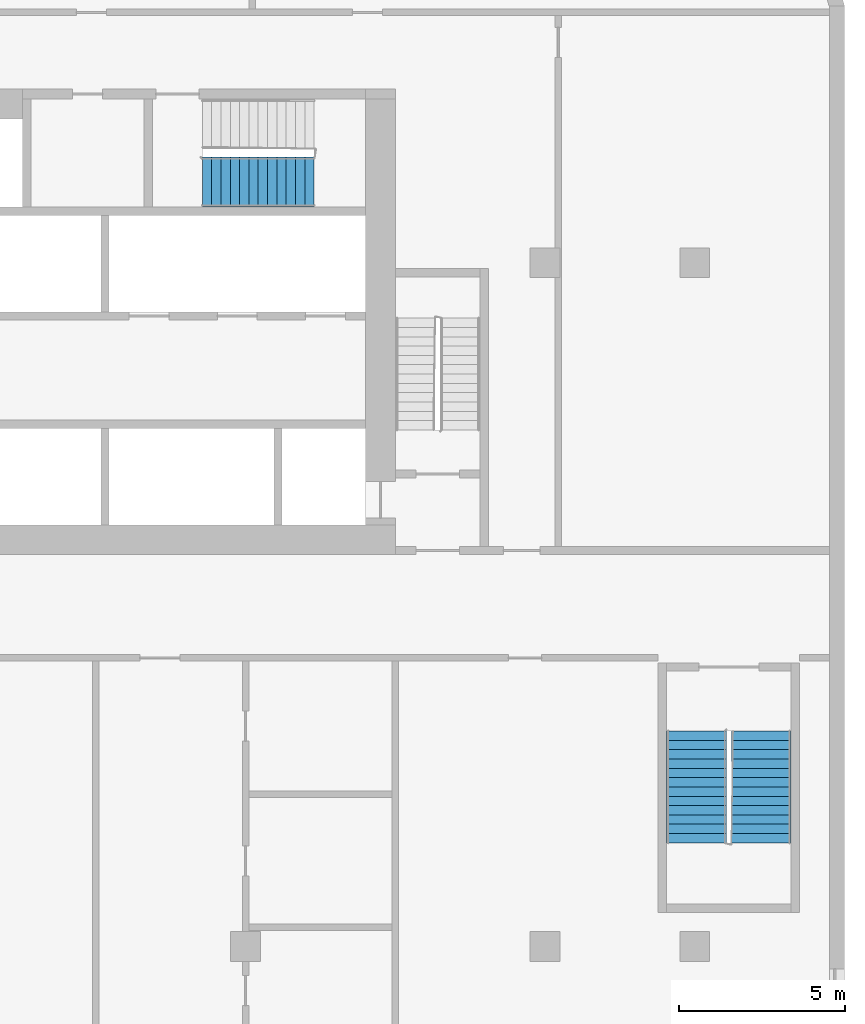
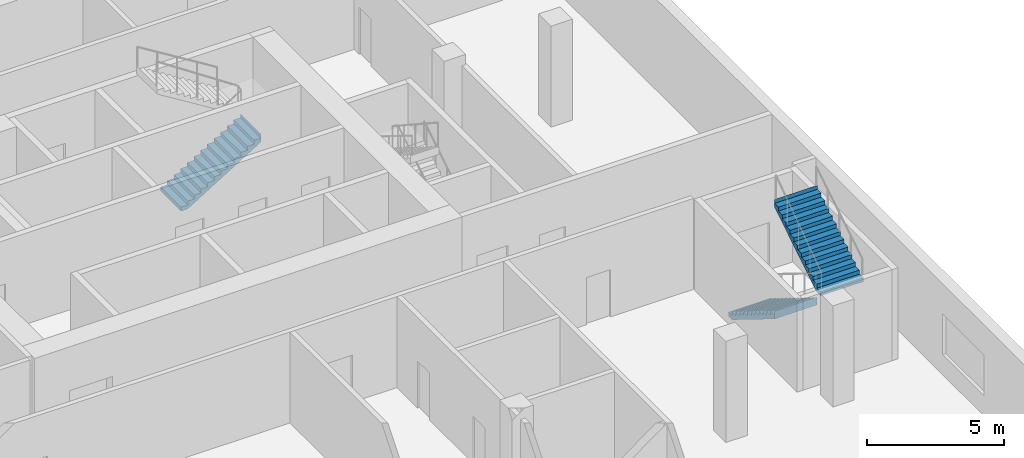
# One storey, part 12 of 15: 3 stair flights, 2 elements without a shape of their own.
"""IFC4 building model written with IfcOpenShell, lengths in metres."""

from ifc_helpers import new_model, si_unit, direction, frame, origin, place, context, subcontext, project, spatial, faceted_brep, material, type_object, element, aggregate, save


model = new_model("IFC4")

# Units and contexts
model_context = context("Model", 3, precision=1e-05, world=origin(), true_north=direction((0.0, 1.0)))
body_context = subcontext(model_context, "Body", "Model", "MODEL_VIEW")
ifc_project = project(units=[si_unit("LENGTHUNIT", "METRE"), si_unit("AREAUNIT", "SQUARE_METRE"), si_unit("VOLUMEUNIT", "CUBIC_METRE"), si_unit("PLANEANGLEUNIT", "RADIAN"), si_unit("MASSUNIT", "GRAM", prefix="KILO")], contexts=[model_context])

# Site, building, storey
site_placement = place(None, origin())
site = spatial("IfcSite", under=ifc_project, at=site_placement, CompositionType="ELEMENT")
building_placement = place(site_placement, origin())
building = spatial("IfcBuilding", under=site, at=building_placement, Name="Kajstack Hotel Tower", CompositionType="ELEMENT")
storey_placement = place(building_placement, frame((0.0, 0.0, 29.0)))
storey = spatial("IfcBuildingStorey", under=building, at=storey_placement, Name="L04", CompositionType="ELEMENT", Elevation=29.0)

# Stair, stair flights
ifc_material = material(Name="Concrete C40/50", Category="concrete")
stair_type_1 = type_object("IfcStairType", Name="Escape stair 1800", PredefinedType="HALF_TURN_STAIR", material=ifc_material)
stair_1_placement = place(storey_placement, origin())
stair_1 = element("IfcStair", 1, at=stair_1_placement, inside=storey, type_object=stair_type_1, Name="L04 stair P2", PredefinedType="HALF_TURN_STAIR")
stair_flight_type_1 = type_object("IfcStairFlightType", Name="Escape stair flight 1800", PredefinedType="STRAIGHT", material=ifc_material)
stair_flight_1_placement = place(storey_placement, frame((40.550048828125, -3.800048828125, 0.0), z_axis=(0.0, 0.0, 1.0), x_axis=(0.0, -1.0, 0.0)))
stair_flight_1 = element("IfcStairFlight", 2, at=stair_flight_1_placement, type_object=stair_flight_type_1, Name="P2 flight 1", NumberOfRisers=13, NumberOfTreads=12, PredefinedType="STRAIGHT", RiserHeight=0.173076923, TreadLength=0.28, context=body_context, shape_type="Brep", body=[
    faceted_brep([(0.28564453125, -0.89990234375, 0.0), (3.360595703125, -0.89990234375, 1.900634765625), (3.360595703125, -0.89990234375, 2.25), (3.360107421875, -0.89990234375, 2.25), (3.360107421875, -0.89990234375, 2.076904296875), (3.080078125, -0.89990234375, 2.076904296875), (3.080078125, -0.89990234375, 1.90380859375), (2.800048828125, -0.89990234375, 1.90380859375), (2.800048828125, -0.89990234375, 1.730712890625), (2.52001953125, -0.89990234375, 1.730712890625), (2.52001953125, -0.89990234375, 1.5576171875), (2.239990234375, -0.89990234375, 1.5576171875), (2.239990234375, -0.89990234375, 1.384521484375), (1.9599609375, -0.89990234375, 1.384521484375), (1.9599609375, -0.89990234375, 1.21142578125), (1.679931640625, -0.89990234375, 1.21142578125), (1.679931640625, -0.89990234375, 1.03857421875), (1.39990234375, -0.89990234375, 1.03857421875), (1.39990234375, -0.89990234375, 0.865478515625), (1.1201171875, -0.89990234375, 0.865478515625), (1.1201171875, -0.89990234375, 0.6923828125), (0.840087890625, -0.89990234375, 0.6923828125), (0.840087890625, -0.89990234375, 0.519287109375), (0.56005859375, -0.89990234375, 0.519287109375), (0.56005859375, -0.89990234375, 0.34619140625), (0.280029296875, -0.89990234375, 0.34619140625), (0.280029296875, -0.89990234375, 0.173095703125), (-0.00048828125, -0.89990234375, 0.173095703125), (-0.00048828125, -0.89990234375, 0.0), (-0.00048828125, 0.89990234375, 0.0), (-0.00048828125, 0.89990234375, 0.173095703125), (0.280029296875, 0.89990234375, 0.173095703125), (0.280029296875, 0.89990234375, 0.34619140625), (0.56005859375, 0.89990234375, 0.34619140625), (0.56005859375, 0.89990234375, 0.519287109375), (0.840087890625, 0.89990234375, 0.519287109375), (0.840087890625, 0.89990234375, 0.6923828125), (1.1201171875, 0.89990234375, 0.6923828125), (1.1201171875, 0.89990234375, 0.865478515625), (1.39990234375, 0.89990234375, 0.865478515625), (1.39990234375, 0.89990234375, 1.03857421875), (1.679931640625, 0.89990234375, 1.03857421875), (1.679931640625, 0.89990234375, 1.21142578125), (1.9599609375, 0.89990234375, 1.21142578125), (1.9599609375, 0.89990234375, 1.384521484375), (2.239990234375, 0.89990234375, 1.384521484375), (2.239990234375, 0.89990234375, 1.5576171875), (2.52001953125, 0.89990234375, 1.5576171875), (2.52001953125, 0.89990234375, 1.730712890625), (2.800048828125, 0.89990234375, 1.730712890625), (2.800048828125, 0.89990234375, 1.90380859375), (3.080078125, 0.89990234375, 1.90380859375), (3.080078125, 0.89990234375, 2.076904296875), (3.360107421875, 0.89990234375, 2.076904296875), (3.360107421875, 0.89990234375, 2.25), (3.360595703125, 0.89990234375, 2.25), (3.360595703125, 0.89990234375, 1.900634765625), (0.28564453125, 0.89990234375, 0.0), (-0.00048828125, -0.449951171875, 0.173095703125), (-0.00048828125, 0.0, 0.173095703125), (-0.00048828125, 0.449951171875, 0.173095703125), (-0.00048828125, 0.449951171875, 0.0), (-0.00048828125, 0.0, 0.0), (-0.00048828125, -0.449951171875, 0.0), (0.280029296875, -0.449951171875, 0.173095703125), (0.280029296875, 0.0, 0.173095703125), (0.280029296875, 0.449951171875, 0.173095703125), (0.280029296875, -0.449951171875, 0.34619140625), (0.280029296875, 0.0, 0.34619140625), (0.280029296875, 0.449951171875, 0.34619140625), (0.56005859375, -0.449951171875, 0.34619140625), (0.56005859375, 0.0, 0.34619140625), (0.56005859375, 0.449951171875, 0.34619140625), (0.56005859375, -0.449951171875, 0.519287109375), (0.56005859375, 0.0, 0.519287109375), (0.56005859375, 0.449951171875, 0.519287109375), (0.840087890625, -0.449951171875, 0.519287109375), (0.840087890625, 0.0, 0.519287109375), (0.840087890625, 0.449951171875, 0.519287109375), (0.840087890625, -0.449951171875, 0.6923828125), (0.840087890625, 0.0, 0.6923828125), (0.840087890625, 0.449951171875, 0.6923828125), (1.1201171875, -0.449951171875, 0.6923828125), (1.1201171875, 0.0, 0.6923828125), (1.1201171875, 0.449951171875, 0.6923828125), (1.1201171875, -0.449951171875, 0.865478515625), (1.1201171875, 0.0, 0.865478515625), (1.1201171875, 0.449951171875, 0.865478515625), (1.39990234375, -0.449951171875, 0.865478515625), (1.39990234375, 0.0, 0.865478515625), (1.39990234375, 0.449951171875, 0.865478515625), (1.39990234375, -0.449951171875, 1.03857421875), (1.39990234375, 0.0, 1.03857421875), (1.39990234375, 0.449951171875, 1.03857421875), (1.679931640625, -0.449951171875, 1.03857421875), (1.679931640625, 0.0, 1.03857421875), (1.679931640625, 0.449951171875, 1.03857421875), (1.679931640625, -0.449951171875, 1.21142578125), (1.679931640625, 0.0, 1.21142578125), (1.679931640625, 0.449951171875, 1.21142578125), (1.9599609375, -0.449951171875, 1.21142578125), (1.9599609375, 0.0, 1.21142578125), (1.9599609375, 0.449951171875, 1.21142578125), (1.9599609375, -0.449951171875, 1.384521484375), (1.9599609375, 0.0, 1.384521484375), (1.9599609375, 0.449951171875, 1.384521484375), (2.239990234375, -0.449951171875, 1.384521484375), (2.239990234375, 0.0, 1.384521484375), (2.239990234375, 0.449951171875, 1.384521484375), (2.239990234375, -0.449951171875, 1.5576171875), (2.239990234375, 0.0, 1.5576171875), (2.239990234375, 0.449951171875, 1.5576171875), (2.52001953125, -0.449951171875, 1.5576171875), (2.52001953125, 0.0, 1.5576171875), (2.52001953125, 0.449951171875, 1.5576171875), (2.52001953125, -0.449951171875, 1.730712890625), (2.52001953125, 0.0, 1.730712890625), (2.52001953125, 0.449951171875, 1.730712890625), (2.800048828125, -0.449951171875, 1.730712890625), (2.800048828125, 0.0, 1.730712890625), (2.800048828125, 0.449951171875, 1.730712890625), (2.800048828125, -0.449951171875, 1.90380859375), (2.800048828125, 0.0, 1.90380859375), (2.800048828125, 0.449951171875, 1.90380859375), (3.080078125, -0.449951171875, 1.90380859375), (3.080078125, 0.0, 1.90380859375), (3.080078125, 0.449951171875, 1.90380859375), (3.080078125, -0.449951171875, 2.076904296875), (3.080078125, 0.0, 2.076904296875), (3.080078125, 0.449951171875, 2.076904296875), (3.360107421875, -0.449951171875, 2.076904296875), (3.360107421875, 0.0, 2.076904296875), (3.360107421875, 0.449951171875, 2.076904296875), (3.360107421875, -0.449951171875, 2.25), (3.360107421875, 0.0, 2.25), (3.360107421875, 0.449951171875, 2.25), (3.360595703125, -0.449951171875, 2.25), (3.360595703125, 0.0, 2.25), (3.360595703125, 0.449951171875, 2.25), (3.360595703125, -0.449951171875, 1.900634765625), (3.360595703125, 0.0, 1.900634765625), (3.360595703125, 0.449951171875, 1.900634765625), (0.28564453125, -0.449951171875, 0.0), (0.28564453125, 0.0, 0.0), (0.28564453125, 0.449951171875, 0.0)], [[[0, 1, 2, 3, 4, 5, 6, 7, 8, 9, 10, 11, 12, 13, 14, 15, 16, 17, 18, 19, 20, 21, 22, 23, 24, 25, 26, 27, 28]], [[29, 30, 31, 32, 33, 34, 35, 36, 37, 38, 39, 40, 41, 42, 43, 44, 45, 46, 47, 48, 49, 50, 51, 52, 53, 54, 55, 56, 57]], [[27, 58, 59, 60, 30, 29, 61, 62, 63, 28]], [[26, 64, 65, 66, 31, 30, 60, 59, 58, 27]], [[25, 67, 68, 69, 32, 31, 66, 65, 64, 26]], [[24, 70, 71, 72, 33, 32, 69, 68, 67, 25]], [[23, 73, 74, 75, 34, 33, 72, 71, 70, 24]], [[22, 76, 77, 78, 35, 34, 75, 74, 73, 23]], [[21, 79, 80, 81, 36, 35, 78, 77, 76, 22]], [[20, 82, 83, 84, 37, 36, 81, 80, 79, 21]], [[19, 85, 86, 87, 38, 37, 84, 83, 82, 20]], [[18, 88, 89, 90, 39, 38, 87, 86, 85, 19]], [[17, 91, 92, 93, 40, 39, 90, 89, 88, 18]], [[16, 94, 95, 96, 41, 40, 93, 92, 91, 17]], [[15, 97, 98, 99, 42, 41, 96, 95, 94, 16]], [[14, 100, 101, 102, 43, 42, 99, 98, 97, 15]], [[13, 103, 104, 105, 44, 43, 102, 101, 100, 14]], [[12, 106, 107, 108, 45, 44, 105, 104, 103, 13]], [[11, 109, 110, 111, 46, 45, 108, 107, 106, 12]], [[10, 112, 113, 114, 47, 46, 111, 110, 109, 11]], [[9, 115, 116, 117, 48, 47, 114, 113, 112, 10]], [[8, 118, 119, 120, 49, 48, 117, 116, 115, 9]], [[7, 121, 122, 123, 50, 49, 120, 119, 118, 8]], [[6, 124, 125, 126, 51, 50, 123, 122, 121, 7]], [[5, 127, 128, 129, 52, 51, 126, 125, 124, 6]], [[4, 130, 131, 132, 53, 52, 129, 128, 127, 5]], [[3, 133, 134, 135, 54, 53, 132, 131, 130, 4]], [[2, 136, 137, 138, 55, 54, 135, 134, 133, 3]], [[1, 139, 140, 141, 56, 55, 138, 137, 136, 2]], [[0, 142, 143, 144, 57, 56, 141, 140, 139, 1]], [[28, 63, 62, 61, 29, 57, 144, 143, 142, 0]]]),
])
stair_flight_2_placement = place(storey_placement, frame((42.5, -7.159912109375, 2.25), z_axis=(0.0, 0.0, 1.0), x_axis=(0.0, 1.0, 0.0)))
stair_flight_2 = element("IfcStairFlight", 3, at=stair_flight_2_placement, type_object=stair_flight_type_1, Name="P2 flight 2", NumberOfRisers=13, NumberOfTreads=12, PredefinedType="STRAIGHT", RiserHeight=0.173076923, TreadLength=0.28, context=body_context, shape_type="Brep", body=[
    faceted_brep([(0.28564453125, -0.89990234375, 0.0), (3.360595703125, -0.89990234375, 1.900634765625), (3.360595703125, -0.89990234375, 2.25), (3.360107421875, -0.89990234375, 2.25), (3.360107421875, -0.89990234375, 2.076904296875), (3.080078125, -0.89990234375, 2.076904296875), (3.080078125, -0.89990234375, 1.90380859375), (2.800048828125, -0.89990234375, 1.90380859375), (2.800048828125, -0.89990234375, 1.730712890625), (2.52001953125, -0.89990234375, 1.730712890625), (2.52001953125, -0.89990234375, 1.5576171875), (2.239990234375, -0.89990234375, 1.5576171875), (2.239990234375, -0.89990234375, 1.384521484375), (1.9599609375, -0.89990234375, 1.384521484375), (1.9599609375, -0.89990234375, 1.21142578125), (1.679931640625, -0.89990234375, 1.21142578125), (1.679931640625, -0.89990234375, 1.03857421875), (1.39990234375, -0.89990234375, 1.03857421875), (1.39990234375, -0.89990234375, 0.865478515625), (1.1201171875, -0.89990234375, 0.865478515625), (1.1201171875, -0.89990234375, 0.6923828125), (0.840087890625, -0.89990234375, 0.6923828125), (0.840087890625, -0.89990234375, 0.519287109375), (0.56005859375, -0.89990234375, 0.519287109375), (0.56005859375, -0.89990234375, 0.34619140625), (0.280029296875, -0.89990234375, 0.34619140625), (0.280029296875, -0.89990234375, 0.173095703125), (-0.00048828125, -0.89990234375, 0.173095703125), (-0.00048828125, -0.89990234375, 0.0), (-0.00048828125, 0.89990234375, 0.0), (-0.00048828125, 0.89990234375, 0.173095703125), (0.280029296875, 0.89990234375, 0.173095703125), (0.280029296875, 0.89990234375, 0.34619140625), (0.56005859375, 0.89990234375, 0.34619140625), (0.56005859375, 0.89990234375, 0.519287109375), (0.840087890625, 0.89990234375, 0.519287109375), (0.840087890625, 0.89990234375, 0.6923828125), (1.1201171875, 0.89990234375, 0.6923828125), (1.1201171875, 0.89990234375, 0.865478515625), (1.39990234375, 0.89990234375, 0.865478515625), (1.39990234375, 0.89990234375, 1.03857421875), (1.679931640625, 0.89990234375, 1.03857421875), (1.679931640625, 0.89990234375, 1.21142578125), (1.9599609375, 0.89990234375, 1.21142578125), (1.9599609375, 0.89990234375, 1.384521484375), (2.239990234375, 0.89990234375, 1.384521484375), (2.239990234375, 0.89990234375, 1.5576171875), (2.52001953125, 0.89990234375, 1.5576171875), (2.52001953125, 0.89990234375, 1.730712890625), (2.800048828125, 0.89990234375, 1.730712890625), (2.800048828125, 0.89990234375, 1.90380859375), (3.080078125, 0.89990234375, 1.90380859375), (3.080078125, 0.89990234375, 2.076904296875), (3.360107421875, 0.89990234375, 2.076904296875), (3.360107421875, 0.89990234375, 2.25), (3.360595703125, 0.89990234375, 2.25), (3.360595703125, 0.89990234375, 1.900634765625), (0.28564453125, 0.89990234375, 0.0), (-0.00048828125, -0.449951171875, 0.173095703125), (-0.00048828125, 0.0, 0.173095703125), (-0.00048828125, 0.449951171875, 0.173095703125), (-0.00048828125, 0.449951171875, 0.0), (-0.00048828125, 0.0, 0.0), (-0.00048828125, -0.449951171875, 0.0), (0.280029296875, -0.449951171875, 0.173095703125), (0.280029296875, 0.0, 0.173095703125), (0.280029296875, 0.449951171875, 0.173095703125), (0.280029296875, -0.449951171875, 0.34619140625), (0.280029296875, 0.0, 0.34619140625), (0.280029296875, 0.449951171875, 0.34619140625), (0.56005859375, -0.449951171875, 0.34619140625), (0.56005859375, 0.0, 0.34619140625), (0.56005859375, 0.449951171875, 0.34619140625), (0.56005859375, -0.449951171875, 0.519287109375), (0.56005859375, 0.0, 0.519287109375), (0.56005859375, 0.449951171875, 0.519287109375), (0.840087890625, -0.449951171875, 0.519287109375), (0.840087890625, 0.0, 0.519287109375), (0.840087890625, 0.449951171875, 0.519287109375), (0.840087890625, -0.449951171875, 0.6923828125), (0.840087890625, 0.0, 0.6923828125), (0.840087890625, 0.449951171875, 0.6923828125), (1.1201171875, -0.449951171875, 0.6923828125), (1.1201171875, 0.0, 0.6923828125), (1.1201171875, 0.449951171875, 0.6923828125), (1.1201171875, -0.449951171875, 0.865478515625), (1.1201171875, 0.0, 0.865478515625), (1.1201171875, 0.449951171875, 0.865478515625), (1.39990234375, -0.449951171875, 0.865478515625), (1.39990234375, 0.0, 0.865478515625), (1.39990234375, 0.449951171875, 0.865478515625), (1.39990234375, -0.449951171875, 1.03857421875), (1.39990234375, 0.0, 1.03857421875), (1.39990234375, 0.449951171875, 1.03857421875), (1.679931640625, -0.449951171875, 1.03857421875), (1.679931640625, 0.0, 1.03857421875), (1.679931640625, 0.449951171875, 1.03857421875), (1.679931640625, -0.449951171875, 1.21142578125), (1.679931640625, 0.0, 1.21142578125), (1.679931640625, 0.449951171875, 1.21142578125), (1.9599609375, -0.449951171875, 1.21142578125), (1.9599609375, 0.0, 1.21142578125), (1.9599609375, 0.449951171875, 1.21142578125), (1.9599609375, -0.449951171875, 1.384521484375), (1.9599609375, 0.0, 1.384521484375), (1.9599609375, 0.449951171875, 1.384521484375), (2.239990234375, -0.449951171875, 1.384521484375), (2.239990234375, 0.0, 1.384521484375), (2.239990234375, 0.449951171875, 1.384521484375), (2.239990234375, -0.449951171875, 1.5576171875), (2.239990234375, 0.0, 1.5576171875), (2.239990234375, 0.449951171875, 1.5576171875), (2.52001953125, -0.449951171875, 1.5576171875), (2.52001953125, 0.0, 1.5576171875), (2.52001953125, 0.449951171875, 1.5576171875), (2.52001953125, -0.449951171875, 1.730712890625), (2.52001953125, 0.0, 1.730712890625), (2.52001953125, 0.449951171875, 1.730712890625), (2.800048828125, -0.449951171875, 1.730712890625), (2.800048828125, 0.0, 1.730712890625), (2.800048828125, 0.449951171875, 1.730712890625), (2.800048828125, -0.449951171875, 1.90380859375), (2.800048828125, 0.0, 1.90380859375), (2.800048828125, 0.449951171875, 1.90380859375), (3.080078125, -0.449951171875, 1.90380859375), (3.080078125, 0.0, 1.90380859375), (3.080078125, 0.449951171875, 1.90380859375), (3.080078125, -0.449951171875, 2.076904296875), (3.080078125, 0.0, 2.076904296875), (3.080078125, 0.449951171875, 2.076904296875), (3.360107421875, -0.449951171875, 2.076904296875), (3.360107421875, 0.0, 2.076904296875), (3.360107421875, 0.449951171875, 2.076904296875), (3.360107421875, -0.449951171875, 2.25), (3.360107421875, 0.0, 2.25), (3.360107421875, 0.449951171875, 2.25), (3.360595703125, -0.449951171875, 2.25), (3.360595703125, 0.0, 2.25), (3.360595703125, 0.449951171875, 2.25), (3.360595703125, -0.449951171875, 1.900634765625), (3.360595703125, 0.0, 1.900634765625), (3.360595703125, 0.449951171875, 1.900634765625), (0.28564453125, -0.449951171875, 0.0), (0.28564453125, 0.0, 0.0), (0.28564453125, 0.449951171875, 0.0)], [[[0, 1, 2, 3, 4, 5, 6, 7, 8, 9, 10, 11, 12, 13, 14, 15, 16, 17, 18, 19, 20, 21, 22, 23, 24, 25, 26, 27, 28]], [[29, 30, 31, 32, 33, 34, 35, 36, 37, 38, 39, 40, 41, 42, 43, 44, 45, 46, 47, 48, 49, 50, 51, 52, 53, 54, 55, 56, 57]], [[27, 58, 59, 60, 30, 29, 61, 62, 63, 28]], [[26, 64, 65, 66, 31, 30, 60, 59, 58, 27]], [[25, 67, 68, 69, 32, 31, 66, 65, 64, 26]], [[24, 70, 71, 72, 33, 32, 69, 68, 67, 25]], [[23, 73, 74, 75, 34, 33, 72, 71, 70, 24]], [[22, 76, 77, 78, 35, 34, 75, 74, 73, 23]], [[21, 79, 80, 81, 36, 35, 78, 77, 76, 22]], [[20, 82, 83, 84, 37, 36, 81, 80, 79, 21]], [[19, 85, 86, 87, 38, 37, 84, 83, 82, 20]], [[18, 88, 89, 90, 39, 38, 87, 86, 85, 19]], [[17, 91, 92, 93, 40, 39, 90, 89, 88, 18]], [[16, 94, 95, 96, 41, 40, 93, 92, 91, 17]], [[15, 97, 98, 99, 42, 41, 96, 95, 94, 16]], [[14, 100, 101, 102, 43, 42, 99, 98, 97, 15]], [[13, 103, 104, 105, 44, 43, 102, 101, 100, 14]], [[12, 106, 107, 108, 45, 44, 105, 104, 103, 13]], [[11, 109, 110, 111, 46, 45, 108, 107, 106, 12]], [[10, 112, 113, 114, 47, 46, 111, 110, 109, 11]], [[9, 115, 116, 117, 48, 47, 114, 113, 112, 10]], [[8, 118, 119, 120, 49, 48, 117, 116, 115, 9]], [[7, 121, 122, 123, 50, 49, 120, 119, 118, 8]], [[6, 124, 125, 126, 51, 50, 123, 122, 121, 7]], [[5, 127, 128, 129, 52, 51, 126, 125, 124, 6]], [[4, 130, 131, 132, 53, 52, 129, 128, 127, 5]], [[3, 133, 134, 135, 54, 53, 132, 131, 130, 4]], [[2, 136, 137, 138, 55, 54, 135, 134, 133, 3]], [[1, 139, 140, 141, 56, 55, 138, 137, 136, 2]], [[0, 142, 143, 144, 57, 56, 141, 140, 139, 1]], [[28, 63, 62, 61, 29, 57, 144, 143, 142, 0]]]),
])
aggregate(stair_1, [stair_flight_1, stair_flight_2])

# Stair, stair flight
stair_type_2 = type_object("IfcStairType", Name="Exit stair 1500", PredefinedType="HALF_TURN_STAIR", material=ifc_material)
stair_2_placement = place(storey_placement, origin())
stair_2 = element("IfcStair", 4, at=stair_2_placement, inside=storey, type_object=stair_type_2, Name="L04 stair E3", PredefinedType="HALF_TURN_STAIR")
stair_flight_type_2 = type_object("IfcStairFlightType", Name="Exit stair flight 1500", PredefinedType="STRAIGHT", material=ifc_material)
stair_flight_3_placement = place(storey_placement, frame((25.699951171875, 12.699951171875, 0.0), z_axis=(0.0, 0.0, 1.0), x_axis=(1.0, 0.0, 0.0)))
stair_flight_3 = element("IfcStairFlight", 5, at=stair_flight_3_placement, type_object=stair_flight_type_2, Name="E3 flight 1", NumberOfRisers=13, NumberOfTreads=12, PredefinedType="STRAIGHT", RiserHeight=0.173076923, TreadLength=0.28, context=body_context, shape_type="Brep", body=[
    faceted_brep([(0.28564453125, -0.75, 0.0), (3.360595703125, -0.75, 1.900634765625), (3.360595703125, -0.75, 2.25), (3.360107421875, -0.75, 2.25), (3.360107421875, -0.75, 2.076904296875), (3.080078125, -0.75, 2.076904296875), (3.080078125, -0.75, 1.90380859375), (2.800048828125, -0.75, 1.90380859375), (2.800048828125, -0.75, 1.730712890625), (2.52001953125, -0.75, 1.730712890625), (2.52001953125, -0.75, 1.5576171875), (2.239990234375, -0.75, 1.5576171875), (2.239990234375, -0.75, 1.384521484375), (1.9599609375, -0.75, 1.384521484375), (1.9599609375, -0.75, 1.21142578125), (1.679931640625, -0.75, 1.21142578125), (1.679931640625, -0.75, 1.03857421875), (1.39990234375, -0.75, 1.03857421875), (1.39990234375, -0.75, 0.865478515625), (1.1201171875, -0.75, 0.865478515625), (1.1201171875, -0.75, 0.6923828125), (0.840087890625, -0.75, 0.6923828125), (0.840087890625, -0.75, 0.519287109375), (0.56005859375, -0.75, 0.519287109375), (0.56005859375, -0.75, 0.34619140625), (0.280029296875, -0.75, 0.34619140625), (0.280029296875, -0.75, 0.173095703125), (-0.00048828125, -0.75, 0.173095703125), (-0.00048828125, -0.75, 0.0), (-0.00048828125, 0.75, 0.0), (-0.00048828125, 0.75, 0.173095703125), (0.280029296875, 0.75, 0.173095703125), (0.280029296875, 0.75, 0.34619140625), (0.56005859375, 0.75, 0.34619140625), (0.56005859375, 0.75, 0.519287109375), (0.840087890625, 0.75, 0.519287109375), (0.840087890625, 0.75, 0.6923828125), (1.1201171875, 0.75, 0.6923828125), (1.1201171875, 0.75, 0.865478515625), (1.39990234375, 0.75, 0.865478515625), (1.39990234375, 0.75, 1.03857421875), (1.679931640625, 0.75, 1.03857421875), (1.679931640625, 0.75, 1.21142578125), (1.9599609375, 0.75, 1.21142578125), (1.9599609375, 0.75, 1.384521484375), (2.239990234375, 0.75, 1.384521484375), (2.239990234375, 0.75, 1.5576171875), (2.52001953125, 0.75, 1.5576171875), (2.52001953125, 0.75, 1.730712890625), (2.800048828125, 0.75, 1.730712890625), (2.800048828125, 0.75, 1.90380859375), (3.080078125, 0.75, 1.90380859375), (3.080078125, 0.75, 2.076904296875), (3.360107421875, 0.75, 2.076904296875), (3.360107421875, 0.75, 2.25), (3.360595703125, 0.75, 2.25), (3.360595703125, 0.75, 1.900634765625), (0.28564453125, 0.75, 0.0), (-0.00048828125, -0.375, 0.173095703125), (-0.00048828125, 0.0, 0.173095703125), (-0.00048828125, 0.375, 0.173095703125), (-0.00048828125, 0.375, 0.0), (-0.00048828125, 0.0, 0.0), (-0.00048828125, -0.375, 0.0), (0.280029296875, -0.375, 0.173095703125), (0.280029296875, 0.0, 0.173095703125), (0.280029296875, 0.375, 0.173095703125), (0.280029296875, -0.375, 0.34619140625), (0.280029296875, 0.0, 0.34619140625), (0.280029296875, 0.375, 0.34619140625), (0.56005859375, -0.375, 0.34619140625), (0.56005859375, 0.0, 0.34619140625), (0.56005859375, 0.375, 0.34619140625), (0.56005859375, -0.375, 0.519287109375), (0.56005859375, 0.0, 0.519287109375), (0.56005859375, 0.375, 0.519287109375), (0.840087890625, -0.375, 0.519287109375), (0.840087890625, 0.0, 0.519287109375), (0.840087890625, 0.375, 0.519287109375), (0.840087890625, -0.375, 0.6923828125), (0.840087890625, 0.0, 0.6923828125), (0.840087890625, 0.375, 0.6923828125), (1.1201171875, -0.375, 0.6923828125), (1.1201171875, 0.0, 0.6923828125), (1.1201171875, 0.375, 0.6923828125), (1.1201171875, -0.375, 0.865478515625), (1.1201171875, 0.0, 0.865478515625), (1.1201171875, 0.375, 0.865478515625), (1.39990234375, -0.375, 0.865478515625), (1.39990234375, 0.0, 0.865478515625), (1.39990234375, 0.375, 0.865478515625), (1.39990234375, -0.375, 1.03857421875), (1.39990234375, 0.0, 1.03857421875), (1.39990234375, 0.375, 1.03857421875), (1.679931640625, -0.375, 1.03857421875), (1.679931640625, 0.0, 1.03857421875), (1.679931640625, 0.375, 1.03857421875), (1.679931640625, -0.375, 1.21142578125), (1.679931640625, 0.0, 1.21142578125), (1.679931640625, 0.375, 1.21142578125), (1.9599609375, -0.375, 1.21142578125), (1.9599609375, 0.0, 1.21142578125), (1.9599609375, 0.375, 1.21142578125), (1.9599609375, -0.375, 1.384521484375), (1.9599609375, 0.0, 1.384521484375), (1.9599609375, 0.375, 1.384521484375), (2.239990234375, -0.375, 1.384521484375), (2.239990234375, 0.0, 1.384521484375), (2.239990234375, 0.375, 1.384521484375), (2.239990234375, -0.375, 1.5576171875), (2.239990234375, 0.0, 1.5576171875), (2.239990234375, 0.375, 1.5576171875), (2.52001953125, -0.375, 1.5576171875), (2.52001953125, 0.0, 1.5576171875), (2.52001953125, 0.375, 1.5576171875), (2.52001953125, -0.375, 1.730712890625), (2.52001953125, 0.0, 1.730712890625), (2.52001953125, 0.375, 1.730712890625), (2.800048828125, -0.375, 1.730712890625), (2.800048828125, 0.0, 1.730712890625), (2.800048828125, 0.375, 1.730712890625), (2.800048828125, -0.375, 1.90380859375), (2.800048828125, 0.0, 1.90380859375), (2.800048828125, 0.375, 1.90380859375), (3.080078125, -0.375, 1.90380859375), (3.080078125, 0.0, 1.90380859375), (3.080078125, 0.375, 1.90380859375), (3.080078125, -0.375, 2.076904296875), (3.080078125, 0.0, 2.076904296875), (3.080078125, 0.375, 2.076904296875), (3.360107421875, -0.375, 2.076904296875), (3.360107421875, 0.0, 2.076904296875), (3.360107421875, 0.375, 2.076904296875), (3.360107421875, -0.375, 2.25), (3.360107421875, 0.0, 2.25), (3.360107421875, 0.375, 2.25), (3.360595703125, -0.375, 2.25), (3.360595703125, 0.0, 2.25), (3.360595703125, 0.375, 2.25), (3.360595703125, -0.375, 1.900634765625), (3.360595703125, 0.0, 1.900634765625), (3.360595703125, 0.375, 1.900634765625), (0.28564453125, -0.375, 0.0), (0.28564453125, 0.0, 0.0), (0.28564453125, 0.375, 0.0)], [[[0, 1, 2, 3, 4, 5, 6, 7, 8, 9, 10, 11, 12, 13, 14, 15, 16, 17, 18, 19, 20, 21, 22, 23, 24, 25, 26, 27, 28]], [[29, 30, 31, 32, 33, 34, 35, 36, 37, 38, 39, 40, 41, 42, 43, 44, 45, 46, 47, 48, 49, 50, 51, 52, 53, 54, 55, 56, 57]], [[27, 58, 59, 60, 30, 29, 61, 62, 63, 28]], [[26, 64, 65, 66, 31, 30, 60, 59, 58, 27]], [[25, 67, 68, 69, 32, 31, 66, 65, 64, 26]], [[24, 70, 71, 72, 33, 32, 69, 68, 67, 25]], [[23, 73, 74, 75, 34, 33, 72, 71, 70, 24]], [[22, 76, 77, 78, 35, 34, 75, 74, 73, 23]], [[21, 79, 80, 81, 36, 35, 78, 77, 76, 22]], [[20, 82, 83, 84, 37, 36, 81, 80, 79, 21]], [[19, 85, 86, 87, 38, 37, 84, 83, 82, 20]], [[18, 88, 89, 90, 39, 38, 87, 86, 85, 19]], [[17, 91, 92, 93, 40, 39, 90, 89, 88, 18]], [[16, 94, 95, 96, 41, 40, 93, 92, 91, 17]], [[15, 97, 98, 99, 42, 41, 96, 95, 94, 16]], [[14, 100, 101, 102, 43, 42, 99, 98, 97, 15]], [[13, 103, 104, 105, 44, 43, 102, 101, 100, 14]], [[12, 106, 107, 108, 45, 44, 105, 104, 103, 13]], [[11, 109, 110, 111, 46, 45, 108, 107, 106, 12]], [[10, 112, 113, 114, 47, 46, 111, 110, 109, 11]], [[9, 115, 116, 117, 48, 47, 114, 113, 112, 10]], [[8, 118, 119, 120, 49, 48, 117, 116, 115, 9]], [[7, 121, 122, 123, 50, 49, 120, 119, 118, 8]], [[6, 124, 125, 126, 51, 50, 123, 122, 121, 7]], [[5, 127, 128, 129, 52, 51, 126, 125, 124, 6]], [[4, 130, 131, 132, 53, 52, 129, 128, 127, 5]], [[3, 133, 134, 135, 54, 53, 132, 131, 130, 4]], [[2, 136, 137, 138, 55, 54, 135, 134, 133, 3]], [[1, 139, 140, 141, 56, 55, 138, 137, 136, 2]], [[0, 142, 143, 144, 57, 56, 141, 140, 139, 1]], [[28, 63, 62, 61, 29, 57, 144, 143, 142, 0]]]),
])
aggregate(stair_2, [stair_flight_3])

save(model, "model.ifc")
